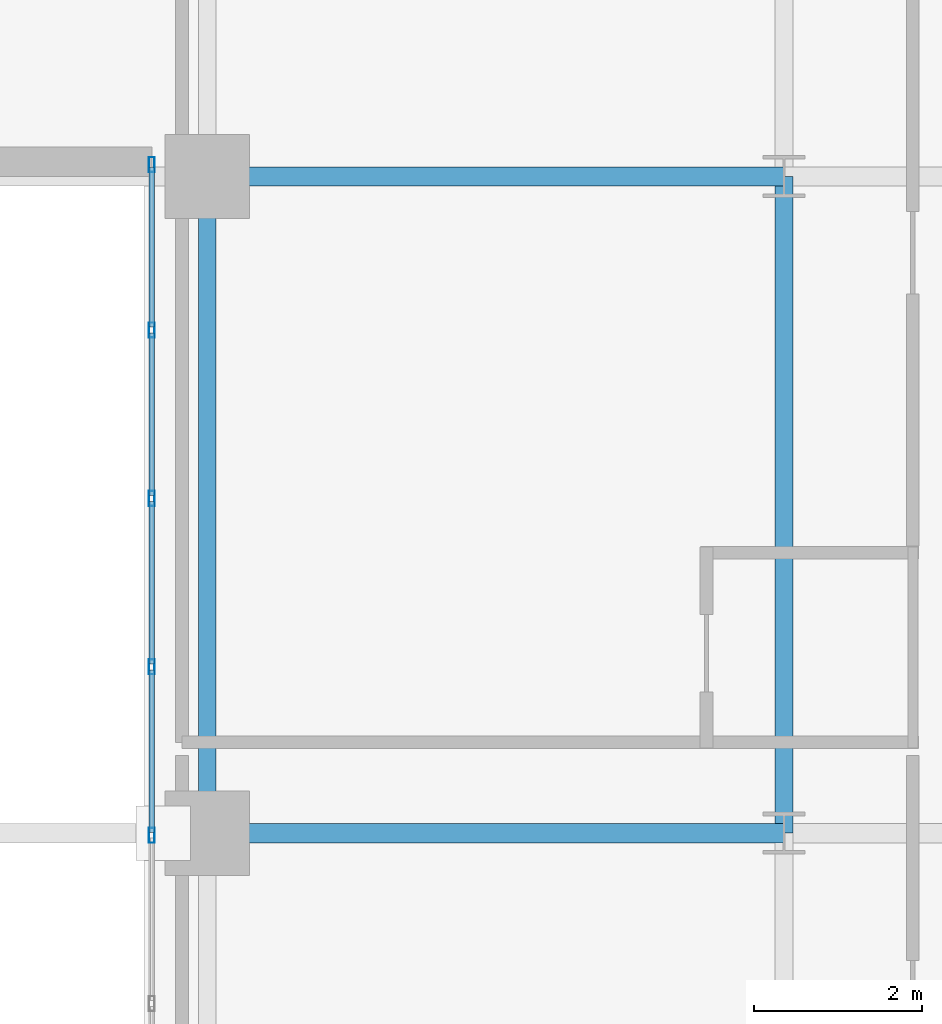
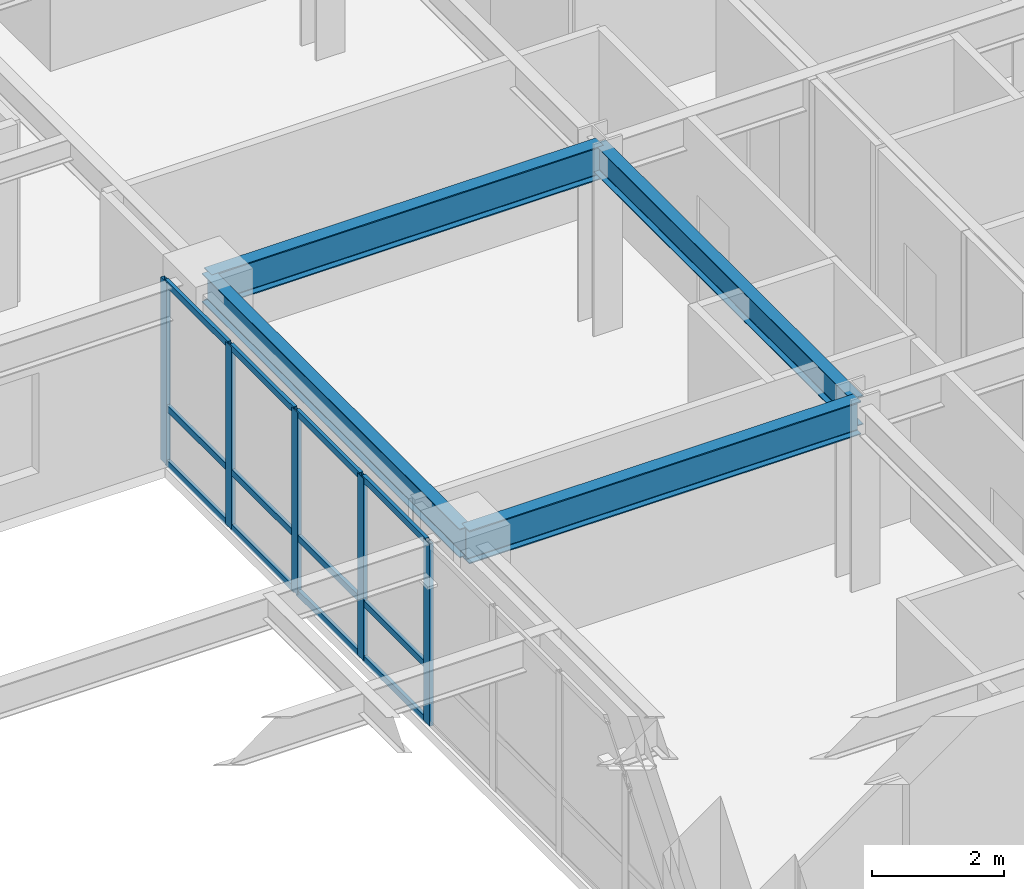
# One storey, part 7 of 16: 17 members, 4 beams, 1 element without a shape of its own.
"""IFC4 building model written with IfcOpenShell, lengths in metres."""

from ifc_helpers import new_model, si_unit, direction, frame, origin, origin_2d, place, context, subcontext, project, spatial, hollow_rectangle, i_section, extrude, source, transform, mapped, material, layer, layer_set, material_profile, profile_set, type_object, type_shapes, element, aggregate, save


model = new_model("IFC4")

# Units and contexts
model_context = context("Model", 3, precision=1e-05, world=origin(), true_north=direction((0.0, 1.0)))
body_context = subcontext(model_context, "Body", "Model", "MODEL_VIEW")
ifc_project = project(units=[si_unit("LENGTHUNIT", "METRE"), si_unit("AREAUNIT", "SQUARE_METRE"), si_unit("VOLUMEUNIT", "CUBIC_METRE"), si_unit("PLANEANGLEUNIT", "RADIAN"), si_unit("MASSUNIT", "GRAM", prefix="KILO")], contexts=[model_context])

# Site, building, storey
site_placement = place(None, origin())
site = spatial("IfcSite", under=ifc_project, at=site_placement, CompositionType="ELEMENT")
building_placement = place(site_placement, origin())
building = spatial("IfcBuilding", under=site, at=building_placement, Name="Tolvann Quenvar Hotel", CompositionType="ELEMENT")
storey_placement = place(building_placement, frame((0.0, 0.0, 71.050048828125)))
storey = spatial("IfcBuildingStorey", under=building, at=storey_placement, Name="L17", CompositionType="ELEMENT", Elevation=71.050048828125)

# Beams
ifc_material_1 = material(Name="Steel Grade 350", Category="steel")
ifc_material_profile_1 = material_profile(ifc_material_1, i_section(OverallWidth=0.22900390625, OverallDepth=0.612060546875, WebThickness=0.011962890625, FlangeThickness=0.01953125, FilletRadius=0.013916015625, at=origin_2d()), Name="610UB125")
ifc_profile_set_1 = profile_set([ifc_material_profile_1], Name="Steel Grade 350")
beam_type_1 = type_object("IfcBeamType", Name="BM_GIRD_610UB125", PredefinedType="BEAM", material=ifc_profile_set_1)
shared_shape_1 = source(origin(), body_context, "Body", "SweptSolid", [
    extrude(i_section(OverallWidth=0.22900390625, OverallDepth=0.612060546875, WebThickness=0.011962890625, FlangeThickness=0.01953125, FilletRadius=0.013916015625, at=origin_2d()), origin(), (0.0, 0.0, 1.0), 6.85009765625),
])
type_shapes(beam_type_1, [shared_shape_1])
for number, where, z_axis, x_axis, name in (
    (1, (34.949951171875, 8.199951171875, 3.06396484375), (1.0, 0.0, 0.0), (0.0, 1.0, 0.0), "BM-L17-EW-3-F3-H3"),
    (2, (34.949951171875, 16.0, 3.06396484375), (1.0, 0.0, 0.0), (0.0, 1.0, 0.0), "BM-L17-EW-4-F4-H4"),
):
    element("IfcBeam", number, at=place(storey_placement, frame(where, z_axis=z_axis, x_axis=x_axis)), inside=storey, type_object=beam_type_1, Name=name, PredefinedType="BEAM", context=body_context, shape_type="MappedRepresentation", body=[
        mapped(shared_shape_1, transform((0.0, 0.0, 0.0), x_axis=(1.0, 0.0, 0.0), y_axis=(0.0, 1.0, 0.0), z_axis=(0.0, 0.0, 1.0), scale=1.0)),
    ])
ifc_material_profile_2 = material_profile(ifc_material_1, i_section(OverallWidth=0.208984375, OverallDepth=0.532958984375, WebThickness=0.01025390625, FlangeThickness=0.015625, FilletRadius=0.013916015625, at=origin_2d()), Name="530UB92")
ifc_profile_set_2 = profile_set([ifc_material_profile_2], Name="Steel Grade 350")
beam_type_2 = type_object("IfcBeamType", Name="BM_GIRD_530UB92", PredefinedType="BEAM", material=ifc_profile_set_2)
shared_shape_2 = source(origin(), body_context, "Body", "SweptSolid", [
    extrude(i_section(OverallWidth=0.208984375, OverallDepth=0.532958984375, WebThickness=0.01025390625, FlangeThickness=0.015625, FilletRadius=0.013916015625, at=origin_2d()), origin(), (0.0, 0.0, 1.0), 7.800048828125),
])
type_shapes(beam_type_2, [shared_shape_2])
for number, where, z_axis, x_axis, name in (
    (3, (34.949951171875, 8.199951171875, 3.103515625), (0.0, 1.0, 0.0), (-1.0, 0.0, 0.0), "BM-L17-NS-F3-F4"),
    (4, (41.800048828125, 8.199951171875, 3.103515625), (0.0, 1.0, 0.0), (-1.0, 0.0, 0.0), "BM-L17-NS-H3-H4"),
):
    element("IfcBeam", number, at=place(storey_placement, frame(where, z_axis=z_axis, x_axis=x_axis)), inside=storey, type_object=beam_type_2, Name=name, PredefinedType="BEAM", context=body_context, shape_type="MappedRepresentation", body=[
        mapped(shared_shape_2, transform((0.0, 0.0, 0.0), x_axis=(1.0, 0.0, 0.0), y_axis=(0.0, 1.0, 0.0), z_axis=(0.0, 0.0, 1.0), scale=1.0)),
    ])

# Curtain wall, members
ifc_material_2 = material(Name="Thermally broken anodised architectural aluminium 6063-T6 and laminated low-E glass", Category="aluminium")
ifc_layer = layer(ifc_material_2, 0.179931640625)
ifc_layer_set = layer_set([ifc_layer], Name="Thermally broken anodised architectural aluminium 6063-T6 and laminated low-E glass")
curtain_wall_type = type_object("IfcCurtainWallType", Name="CW_SYS_SLOT_03", PredefinedType="USERDEFINED", material=ifc_layer_set)
curtain_wall_placement = place(storey_placement, origin())
curtain_wall = element("IfcCurtainWall", 5, at=curtain_wall_placement, inside=storey, type_object=curtain_wall_type, Name="Curtain Wall CW-SLOT-03 (CWR-L17-E07)", ObjectType="UNITISED CURTAIN WALL", PredefinedType="USERDEFINED")
ifc_material_3 = material(Name="Anodised architectural aluminium 6063-T6 framing", Category="aluminium")
ifc_material_profile_3 = material_profile(ifc_material_3, hollow_rectangle(XDim=0.06005859375, YDim=0.1201171875, WallThickness=0.00341796875, at=origin_2d()), Name="120x60x3.5RHS")
ifc_profile_set_3 = profile_set([ifc_material_profile_3], Name="Anodised architectural aluminium 6063-T6 framing")
member_type_1 = type_object("IfcMemberType", Name="CW_TRAN_120x60", PredefinedType="USERDEFINED", material=ifc_profile_set_3)
shared_shape_3 = source(origin(), body_context, "Body", "SweptSolid", [
    extrude(hollow_rectangle(XDim=0.06005859375, YDim=0.1201171875, WallThickness=0.00341796875, at=origin_2d()), origin(), (0.0, 0.0, 1.0), 1.929931640625),
])
member_1_placement = place(storey_placement, frame((34.2900390625, 14.139892578125, 0.030029296875), z_axis=(0.0, -1.0, 0.0), x_axis=(1.0, 0.0, 0.0)))
member_1 = element("IfcMember", 6, at=member_1_placement, type_object=member_type_1, Name="CW-SLOT-03 transom 2.1", ObjectType="TRANSOM", PredefinedType="USERDEFINED", context=body_context, shape_type="MappedRepresentation", body=[
    mapped(shared_shape_3, transform((0.0, 0.0, 0.0), x_axis=(1.0, 0.0, 0.0), y_axis=(0.0, 1.0, 0.0), z_axis=(0.0, 0.0, 1.0), scale=1.0)),
])
member_2_placement = place(storey_placement, frame((34.2900390625, 14.139892578125, 1.050048828125), z_axis=(0.0, -1.0, 0.0), x_axis=(1.0, 0.0, 0.0)))
member_2 = element("IfcMember", 7, at=member_2_placement, type_object=member_type_1, Name="CW-SLOT-03 transom 2.2", ObjectType="TRANSOM", PredefinedType="USERDEFINED", context=body_context, shape_type="MappedRepresentation", body=[
    mapped(shared_shape_3, transform((0.0, 0.0, 0.0), x_axis=(1.0, 0.0, 0.0), y_axis=(0.0, 1.0, 0.0), z_axis=(0.0, 0.0, 1.0), scale=1.0)),
])
member_3_placement = place(storey_placement, frame((34.2900390625, 14.139892578125, 3.33984375), z_axis=(0.0, -1.0, 0.0), x_axis=(1.0, 0.0, 0.0)))
member_3 = element("IfcMember", 8, at=member_3_placement, type_object=member_type_1, Name="CW-SLOT-03 transom 2.3", ObjectType="TRANSOM", PredefinedType="USERDEFINED", context=body_context, shape_type="MappedRepresentation", body=[
    mapped(shared_shape_3, transform((0.0, 0.0, 0.0), x_axis=(1.0, 0.0, 0.0), y_axis=(0.0, 1.0, 0.0), z_axis=(0.0, 0.0, 1.0), scale=1.0)),
])
member_4_placement = place(storey_placement, frame((34.2900390625, 12.139892578125, 0.030029296875), z_axis=(0.0, -1.0, 0.0), x_axis=(1.0, 0.0, 0.0)))
member_4 = element("IfcMember", 9, at=member_4_placement, type_object=member_type_1, Name="CW-SLOT-03 transom 3.1", ObjectType="TRANSOM", PredefinedType="USERDEFINED", context=body_context, shape_type="MappedRepresentation", body=[
    mapped(shared_shape_3, transform((0.0, 0.0, 0.0), x_axis=(1.0, 0.0, 0.0), y_axis=(0.0, 1.0, 0.0), z_axis=(0.0, 0.0, 1.0), scale=1.0)),
])
member_5_placement = place(storey_placement, frame((34.2900390625, 12.139892578125, 1.050048828125), z_axis=(0.0, -1.0, 0.0), x_axis=(1.0, 0.0, 0.0)))
member_5 = element("IfcMember", 10, at=member_5_placement, type_object=member_type_1, Name="CW-SLOT-03 transom 3.2", ObjectType="TRANSOM", PredefinedType="USERDEFINED", context=body_context, shape_type="MappedRepresentation", body=[
    mapped(shared_shape_3, transform((0.0, 0.0, 0.0), x_axis=(1.0, 0.0, 0.0), y_axis=(0.0, 1.0, 0.0), z_axis=(0.0, 0.0, 1.0), scale=1.0)),
])
member_6_placement = place(storey_placement, frame((34.2900390625, 12.139892578125, 3.33984375), z_axis=(0.0, -1.0, 0.0), x_axis=(1.0, 0.0, 0.0)))
member_6 = element("IfcMember", 11, at=member_6_placement, type_object=member_type_1, Name="CW-SLOT-03 transom 3.3", ObjectType="TRANSOM", PredefinedType="USERDEFINED", context=body_context, shape_type="MappedRepresentation", body=[
    mapped(shared_shape_3, transform((0.0, 0.0, 0.0), x_axis=(1.0, 0.0, 0.0), y_axis=(0.0, 1.0, 0.0), z_axis=(0.0, 0.0, 1.0), scale=1.0)),
])
member_7_placement = place(storey_placement, frame((34.2900390625, 10.139892578125, 0.030029296875), z_axis=(0.0, -1.0, 0.0), x_axis=(1.0, 0.0, 0.0)))
member_7 = element("IfcMember", 12, at=member_7_placement, type_object=member_type_1, Name="CW-SLOT-03 transom 4.1", ObjectType="TRANSOM", PredefinedType="USERDEFINED", context=body_context, shape_type="MappedRepresentation", body=[
    mapped(shared_shape_3, transform((0.0, 0.0, 0.0), x_axis=(1.0, 0.0, 0.0), y_axis=(0.0, 1.0, 0.0), z_axis=(0.0, 0.0, 1.0), scale=1.0)),
])
member_8_placement = place(storey_placement, frame((34.2900390625, 10.139892578125, 1.050048828125), z_axis=(0.0, -1.0, 0.0), x_axis=(1.0, 0.0, 0.0)))
member_8 = element("IfcMember", 13, at=member_8_placement, type_object=member_type_1, Name="CW-SLOT-03 transom 4.2", ObjectType="TRANSOM", PredefinedType="USERDEFINED", context=body_context, shape_type="MappedRepresentation", body=[
    mapped(shared_shape_3, transform((0.0, 0.0, 0.0), x_axis=(1.0, 0.0, 0.0), y_axis=(0.0, 1.0, 0.0), z_axis=(0.0, 0.0, 1.0), scale=1.0)),
])
member_9_placement = place(storey_placement, frame((34.2900390625, 10.139892578125, 3.33984375), z_axis=(0.0, -1.0, 0.0), x_axis=(1.0, 0.0, 0.0)))
member_9 = element("IfcMember", 14, at=member_9_placement, type_object=member_type_1, Name="CW-SLOT-03 transom 4.3", ObjectType="TRANSOM", PredefinedType="USERDEFINED", context=body_context, shape_type="MappedRepresentation", body=[
    mapped(shared_shape_3, transform((0.0, 0.0, 0.0), x_axis=(1.0, 0.0, 0.0), y_axis=(0.0, 1.0, 0.0), z_axis=(0.0, 0.0, 1.0), scale=1.0)),
])
shared_shape_4 = source(origin(), body_context, "Body", "SweptSolid", [
    extrude(hollow_rectangle(XDim=0.06005859375, YDim=0.1201171875, WallThickness=0.00341796875, at=origin_2d()), origin(), (0.0, 0.0, 1.0), 1.89501953125),
])
type_shapes(member_type_1, [shared_shape_3, shared_shape_4])
member_10_placement = place(storey_placement, frame((34.2900390625, 16.10498046875, 0.030029296875), z_axis=(0.0, -1.0, 0.0), x_axis=(1.0, 0.0, 0.0)))
member_10 = element("IfcMember", 15, at=member_10_placement, type_object=member_type_1, Name="CW-SLOT-03 transom 1.1", ObjectType="TRANSOM", PredefinedType="USERDEFINED", context=body_context, shape_type="MappedRepresentation", body=[
    mapped(shared_shape_4, transform((0.0, 0.0, 0.0), x_axis=(1.0, 0.0, 0.0), y_axis=(0.0, 1.0, 0.0), z_axis=(0.0, 0.0, 1.0), scale=1.0)),
])
member_11_placement = place(storey_placement, frame((34.2900390625, 16.10498046875, 1.050048828125), z_axis=(0.0, -1.0, 0.0), x_axis=(1.0, 0.0, 0.0)))
member_11 = element("IfcMember", 16, at=member_11_placement, type_object=member_type_1, Name="CW-SLOT-03 transom 1.2", ObjectType="TRANSOM", PredefinedType="USERDEFINED", context=body_context, shape_type="MappedRepresentation", body=[
    mapped(shared_shape_4, transform((0.0, 0.0, 0.0), x_axis=(1.0, 0.0, 0.0), y_axis=(0.0, 1.0, 0.0), z_axis=(0.0, 0.0, 1.0), scale=1.0)),
])
member_12_placement = place(storey_placement, frame((34.2900390625, 16.10498046875, 3.33984375), z_axis=(0.0, -1.0, 0.0), x_axis=(1.0, 0.0, 0.0)))
member_12 = element("IfcMember", 17, at=member_12_placement, type_object=member_type_1, Name="CW-SLOT-03 transom 1.3", ObjectType="TRANSOM", PredefinedType="USERDEFINED", context=body_context, shape_type="MappedRepresentation", body=[
    mapped(shared_shape_4, transform((0.0, 0.0, 0.0), x_axis=(1.0, 0.0, 0.0), y_axis=(0.0, 1.0, 0.0), z_axis=(0.0, 0.0, 1.0), scale=1.0)),
])
ifc_material_profile_4 = material_profile(ifc_material_3, hollow_rectangle(XDim=0.070068359375, YDim=0.179931640625, WallThickness=0.00390625, at=origin_2d()), Name="180x70x4RHS")
ifc_profile_set_4 = profile_set([ifc_material_profile_4], Name="Anodised architectural aluminium 6063-T6 framing")
member_type_2 = type_object("IfcMemberType", Name="CW_MULL_180x70", PredefinedType="MULLION", material=ifc_profile_set_4)
shared_shape_5 = source(origin(), body_context, "Body", "SweptSolid", [
    extrude(hollow_rectangle(XDim=0.070068359375, YDim=0.179931640625, WallThickness=0.00390625, at=origin_2d()), origin(), (0.0, 0.0, 1.0), 3.369873046875),
])
type_shapes(member_type_2, [shared_shape_5])
member_13_placement = place(storey_placement, frame((34.2900390625, 16.139892578125, 0.0), z_axis=(0.0, 0.0, 1.0), x_axis=(1.0, 0.0, 0.0)))
member_13 = element("IfcMember", 18, at=member_13_placement, type_object=member_type_2, Name="CW-SLOT-03 mullion 1", PredefinedType="MULLION", context=body_context, shape_type="MappedRepresentation", body=[
    mapped(shared_shape_5, transform((0.0, 0.0, 0.0), x_axis=(1.0, 0.0, 0.0), y_axis=(0.0, 1.0, 0.0), z_axis=(0.0, 0.0, 1.0), scale=1.0)),
])
member_14_placement = place(storey_placement, frame((34.2900390625, 14.175048828125, 0.0), z_axis=(0.0, 0.0, 1.0), x_axis=(1.0, 0.0, 0.0)))
member_14 = element("IfcMember", 19, at=member_14_placement, type_object=member_type_2, Name="CW-SLOT-03 mullion 2", PredefinedType="MULLION", context=body_context, shape_type="MappedRepresentation", body=[
    mapped(shared_shape_5, transform((0.0, 0.0, 0.0), x_axis=(1.0, 0.0, 0.0), y_axis=(0.0, 1.0, 0.0), z_axis=(0.0, 0.0, 1.0), scale=1.0)),
])
member_15_placement = place(storey_placement, frame((34.2900390625, 12.175048828125, 0.0), z_axis=(0.0, 0.0, 1.0), x_axis=(1.0, 0.0, 0.0)))
member_15 = element("IfcMember", 20, at=member_15_placement, type_object=member_type_2, Name="CW-SLOT-03 mullion 3", PredefinedType="MULLION", context=body_context, shape_type="MappedRepresentation", body=[
    mapped(shared_shape_5, transform((0.0, 0.0, 0.0), x_axis=(1.0, 0.0, 0.0), y_axis=(0.0, 1.0, 0.0), z_axis=(0.0, 0.0, 1.0), scale=1.0)),
])
member_16_placement = place(storey_placement, frame((34.2900390625, 10.175048828125, 0.0), z_axis=(0.0, 0.0, 1.0), x_axis=(1.0, 0.0, 0.0)))
member_16 = element("IfcMember", 21, at=member_16_placement, type_object=member_type_2, Name="CW-SLOT-03 mullion 4", PredefinedType="MULLION", context=body_context, shape_type="MappedRepresentation", body=[
    mapped(shared_shape_5, transform((0.0, 0.0, 0.0), x_axis=(1.0, 0.0, 0.0), y_axis=(0.0, 1.0, 0.0), z_axis=(0.0, 0.0, 1.0), scale=1.0)),
])
member_17_placement = place(storey_placement, frame((34.2900390625, 8.175048828125, 0.0), z_axis=(0.0, 0.0, 1.0), x_axis=(1.0, 0.0, 0.0)))
member_17 = element("IfcMember", 22, at=member_17_placement, type_object=member_type_2, Name="CW-SLOT-03 mullion 5", PredefinedType="MULLION", context=body_context, shape_type="MappedRepresentation", body=[
    mapped(shared_shape_5, transform((0.0, 0.0, 0.0), x_axis=(1.0, 0.0, 0.0), y_axis=(0.0, 1.0, 0.0), z_axis=(0.0, 0.0, 1.0), scale=1.0)),
])
aggregate(curtain_wall, [member_13, member_14, member_15, member_16, member_17, member_10, member_11, member_12, member_1, member_2, member_3, member_4, member_5, member_6, member_7, member_8, member_9])

save(model, "model.ifc")
